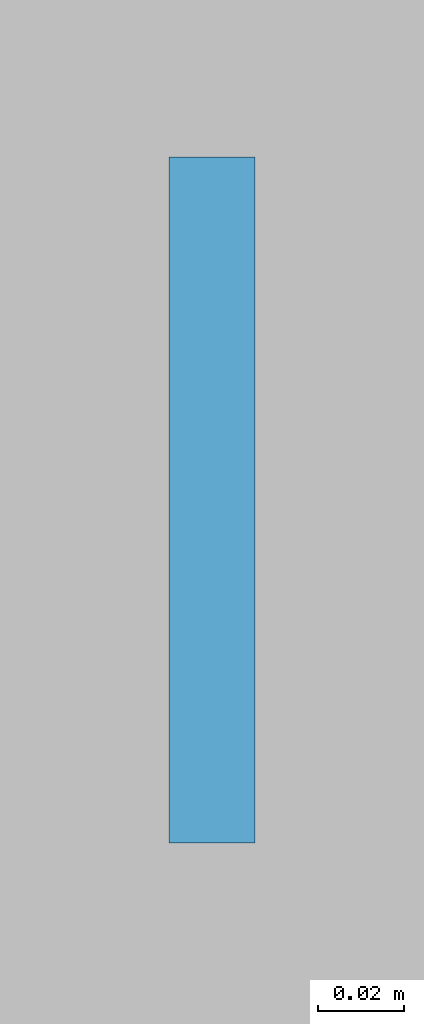
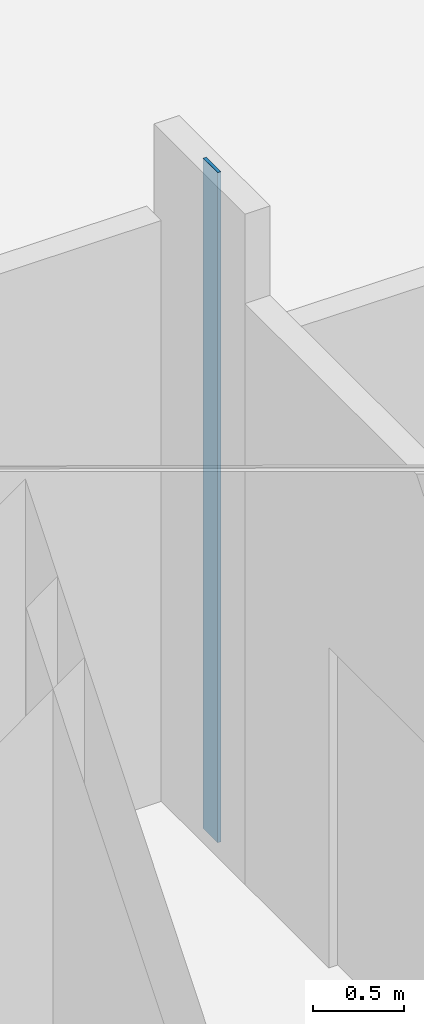
# One storey, part 19 of 32: 1 plate.
"""IFC4 building model written with IfcOpenShell, lengths in metres."""

from ifc_helpers import new_model, si_unit, direction, frame, origin, origin_2d, place, context, subcontext, project, spatial, rectangle, extrude, material, layer, layer_set, type_object, element, save


model = new_model("IFC4")

# Units and contexts
model_context = context("Model", 3, precision=1e-05, world=origin(), true_north=direction((0.0, 1.0)))
body_context = subcontext(model_context, "Body", "Model", "MODEL_VIEW")
ifc_project = project(units=[si_unit("LENGTHUNIT", "METRE"), si_unit("AREAUNIT", "SQUARE_METRE"), si_unit("VOLUMEUNIT", "CUBIC_METRE"), si_unit("PLANEANGLEUNIT", "RADIAN"), si_unit("MASSUNIT", "GRAM", prefix="KILO")], contexts=[model_context])

# Site, building, storey
site_placement = place(None, origin())
site = spatial("IfcSite", under=ifc_project, at=site_placement, CompositionType="ELEMENT")
building_placement = place(site_placement, origin())
building = spatial("IfcBuilding", under=site, at=building_placement, Name="Miruveldt Soraemaru", CompositionType="ELEMENT")
storey_placement = place(building_placement, origin())
storey = spatial("IfcBuildingStorey", under=building, at=storey_placement, Name="L01", CompositionType="ELEMENT", Elevation=0.0)

# Plate
ifc_material = material(Name="Anodised aluminium EN AW-6063 T6", Category="aluminium")
ifc_layer = layer(ifc_material, 0.02001953125, Name="Anodised aluminium EN AW-6063 T6", Category="aluminium")
ifc_layer_set = layer_set([ifc_layer], Name="Anodised aluminium EN AW-6063 T6")
plate_type = type_object("IfcPlateType", Name="PLT-PART-TRIM", PredefinedType="SHEET", material=ifc_layer_set)
plate_placement = place(storey_placement, frame((54.60009765625, 54.10009765625, 0.0), z_axis=(0.0, 0.0, 1.0), x_axis=(0.0, 1.0, 0.0)))
element("IfcPlate", 1, at=plate_placement, inside=storey, type_object=plate_type, Name="L01 Partition Step Corner Trim Plate 016", PredefinedType="SHEET", context=body_context, shape_type="SweptSolid", body=[
    extrude(rectangle(XDim=0.159912109375, YDim=0.02001953125, at=origin_2d()), origin(), (0.0, 0.0, 1.0), 4.5),
])

save(model, "model.ifc")
